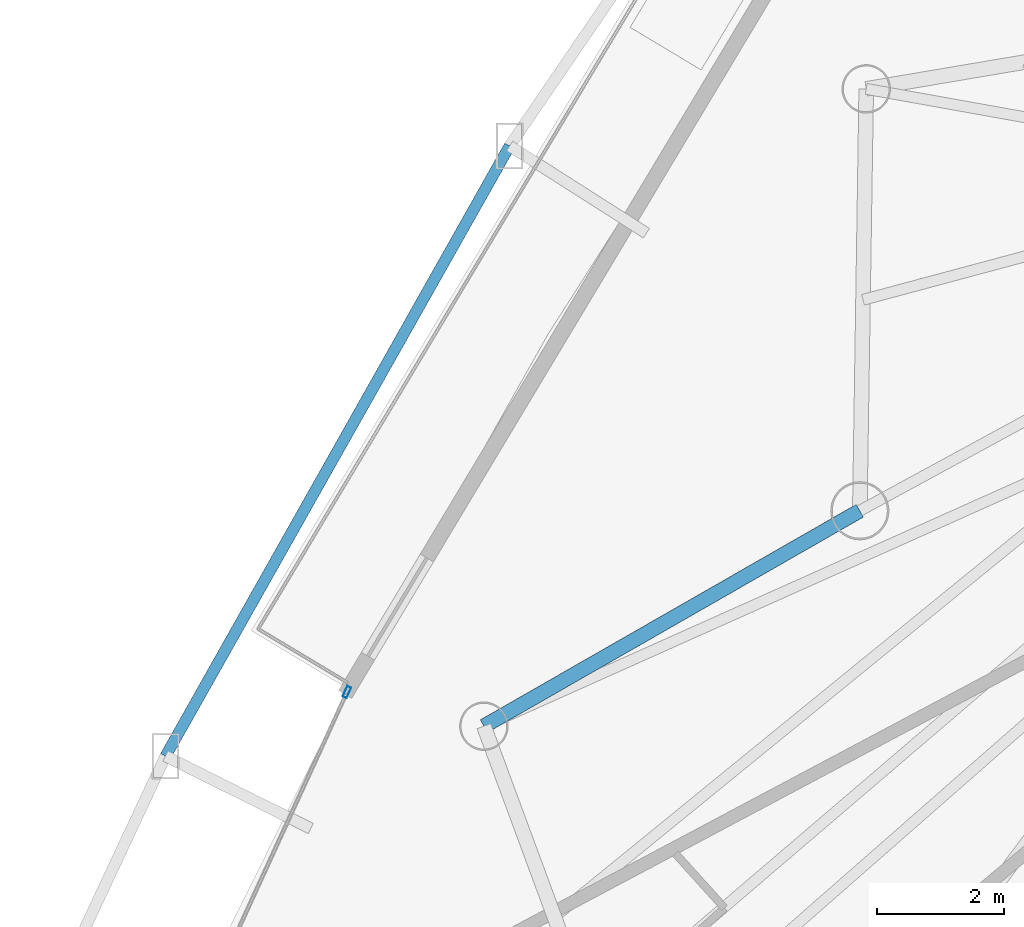
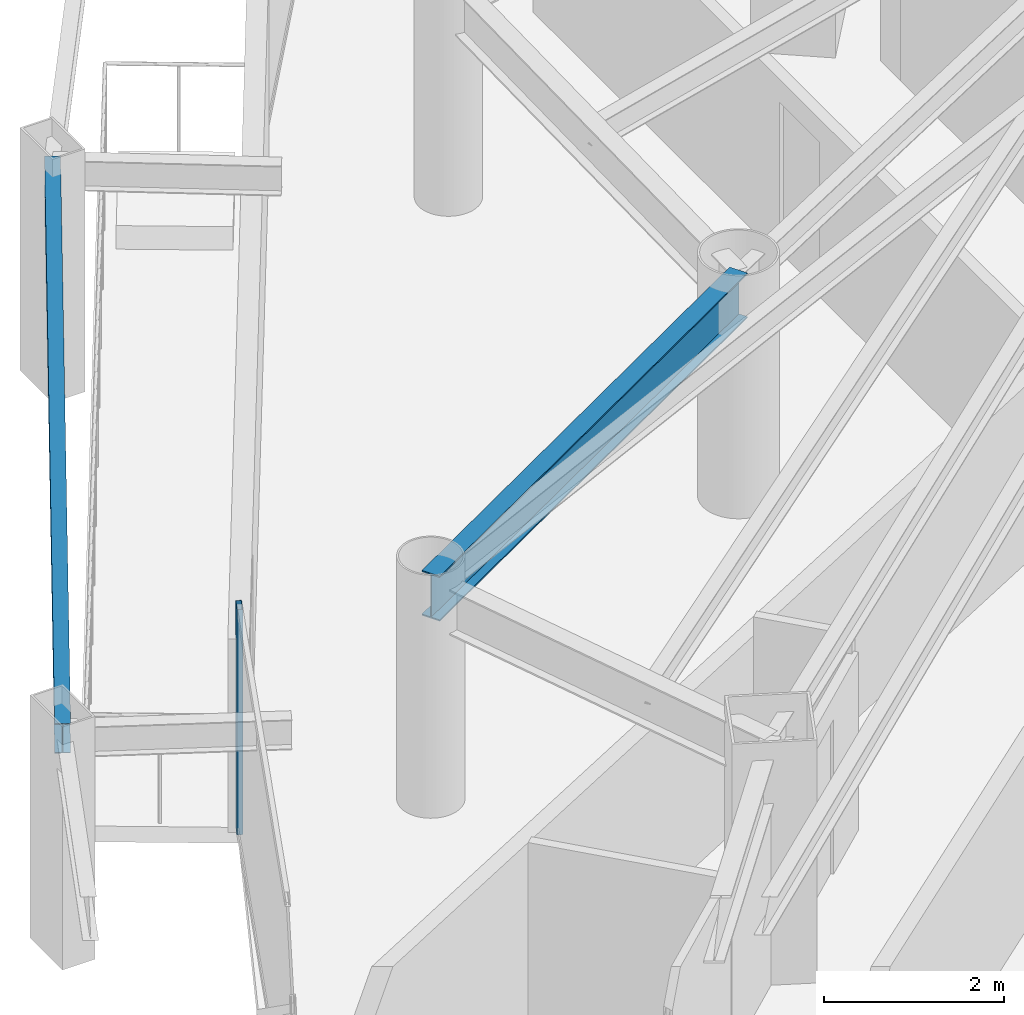
# One storey, part 11 of 38: 2 beams, 1 member, 1 element without a shape of its own.
"""IFC4 building model written with IfcOpenShell, lengths in metres."""

from ifc_helpers import new_model, si_unit, direction, frame, origin, origin_2d, place, context, subcontext, project, spatial, hollow_rectangle, i_section, extrude, material, layer, layer_set, material_profile, profile_set, type_object, element, aggregate, save


model = new_model("IFC4")

# Units and contexts
model_context = context("Model", 3, precision=1e-05, world=origin(), true_north=direction((0.0, 1.0)))
body_context = subcontext(model_context, "Body", "Model", "MODEL_VIEW")
ifc_project = project(units=[si_unit("LENGTHUNIT", "METRE"), si_unit("AREAUNIT", "SQUARE_METRE"), si_unit("VOLUMEUNIT", "CUBIC_METRE"), si_unit("PLANEANGLEUNIT", "RADIAN"), si_unit("MASSUNIT", "GRAM", prefix="KILO")], contexts=[model_context])

# Site, building, storey
site_placement = place(None, origin())
site = spatial("IfcSite", under=ifc_project, at=site_placement, CompositionType="ELEMENT")
building_placement = place(site_placement, origin())
building = spatial("IfcBuilding", under=site, at=building_placement, Name="Orvanel Arch Residences", CompositionType="ELEMENT")
storey_placement = place(building_placement, frame((0.0, 0.0, 46.699951171875)))
storey = spatial("IfcBuildingStorey", under=building, at=storey_placement, Name="L12", CompositionType="ELEMENT", Elevation=46.699951171875)

# Curtain wall, member
ifc_material_1 = material(Name="Bronze-anodised aluminium AA6063-T6", Category="aluminium")
ifc_layer = layer(ifc_material_1, 0.179931640625)
ifc_layer_set = layer_set([ifc_layer], Name="Bronze-anodised aluminium AA6063-T6")
curtain_wall_type = type_object("IfcCurtainWallType", Name="CW2-LOW-SYS", PredefinedType="NOTDEFINED", material=ifc_layer_set)
curtain_wall_placement = place(storey_placement, origin())
curtain_wall = element("IfcCurtainWall", 1, at=curtain_wall_placement, inside=storey, type_object=curtain_wall_type, Name="L12 CW2-LOW-SYS Unitised Curtain Wall", PredefinedType="NOTDEFINED")
ifc_material_profile_1 = material_profile(ifc_material_1, hollow_rectangle(XDim=0.070068359375, YDim=0.179931640625, WallThickness=0.00439453125, at=origin_2d()), Name="ALU180x70x4.5")
ifc_profile_set_1 = profile_set([ifc_material_profile_1], Name="Bronze-anodised aluminium AA6063-T6")
member_type = type_object("IfcMemberType", Name="MUL-180x70", PredefinedType="MULLION", material=ifc_profile_set_1)
member_placement = place(storey_placement, frame((12.509521484375, 24.791259765625, 0.0), z_axis=(0.0, 0.0, 1.0), x_axis=(0.909193369398, -0.416374131092, 0.0)))
member = element("IfcMember", 2, at=member_placement, type_object=member_type, Name="CW-S2 mullion 1", PredefinedType="MULLION", context=body_context, shape_type="SweptSolid", body=[
    extrude(hollow_rectangle(XDim=0.070068359375, YDim=0.179931640625, WallThickness=0.00439453125, at=origin_2d()), origin(), (0.0, 0.0, 1.0), 3.06005859375),
])
aggregate(curtain_wall, [member])

# Beams
ifc_material_2 = material(Name="Structural steel AS/NZS 3679.1 Grade 300 (300 MPa)", Category="steel")
ifc_material_profile_2 = material_profile(ifc_material_2, i_section(OverallWidth=0.177978515625, OverallDepth=0.406005859375, WebThickness=0.0078125, FlangeThickness=0.0126953125, at=origin_2d()), Name="410UB59.7")
ifc_profile_set_2 = profile_set([ifc_material_profile_2], Name="Structural steel AS/NZS 3679.1 Grade 300 (300 MPa)")
beam_type_1 = type_object("IfcBeamType", Name="OB-410UB-EXT", PredefinedType="SPANDREL", material=ifc_profile_set_2)
beam_1_placement = place(storey_placement, frame((15.06591796875, 33.3740234375, 2.85693359375), z_axis=(-0.491165449777, -0.871066301119, 0.0), x_axis=(0.871066301119, -0.491165449777, 0.0)))
element("IfcBeam", 3, at=beam_1_placement, inside=storey, type_object=beam_type_1, Name="L12 Outer Perimeter Floor Ring Beam 02", PredefinedType="SPANDREL", context=body_context, shape_type="SweptSolid", body=[
    extrude(i_section(OverallWidth=0.177978515625, OverallDepth=0.406005859375, WebThickness=0.0078125, FlangeThickness=0.0126953125, at=origin_2d()), origin(), (0.0, 0.0, 1.0), 11.008544921875),
])
ifc_material_profile_3 = material_profile(ifc_material_2, i_section(OverallWidth=0.22900390625, OverallDepth=0.612060546875, WebThickness=0.011962890625, FlangeThickness=0.01953125, at=origin_2d()), Name="610UB125")
ifc_profile_set_3 = profile_set([ifc_material_profile_3], Name="Structural steel AS/NZS 3679.1 Grade 300 (300 MPa)")
beam_type_2 = type_object("IfcBeamType", Name="SP-610UB", PredefinedType="SPANDREL", material=ifc_profile_set_3)
beam_2_placement = place(storey_placement, frame((20.569091796875, 27.64111328125, 2.754150390625), z_axis=(-0.867635629025, -0.497200578485, 0.0), x_axis=(0.497200578485, -0.867635629025, 0.0)))
element("IfcBeam", 4, at=beam_2_placement, inside=storey, type_object=beam_type_2, Name="L12 Perimeter Spandrel Beam 21", PredefinedType="SPANDREL", context=body_context, shape_type="SweptSolid", body=[
    extrude(i_section(OverallWidth=0.22900390625, OverallDepth=0.612060546875, WebThickness=0.011962890625, FlangeThickness=0.01953125, at=origin_2d()), origin(), (0.0, 0.0, 1.0), 6.80810546875),
])

save(model, "model.ifc")
